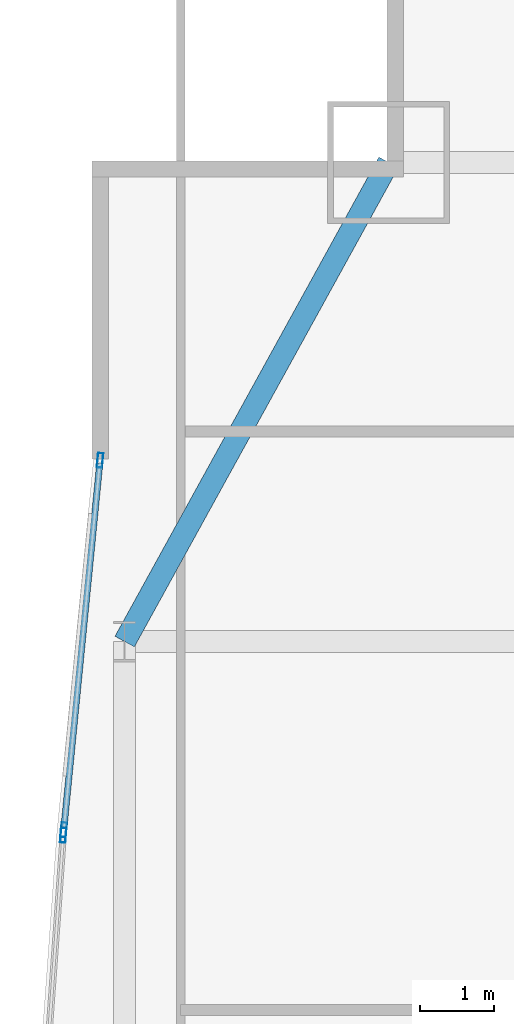
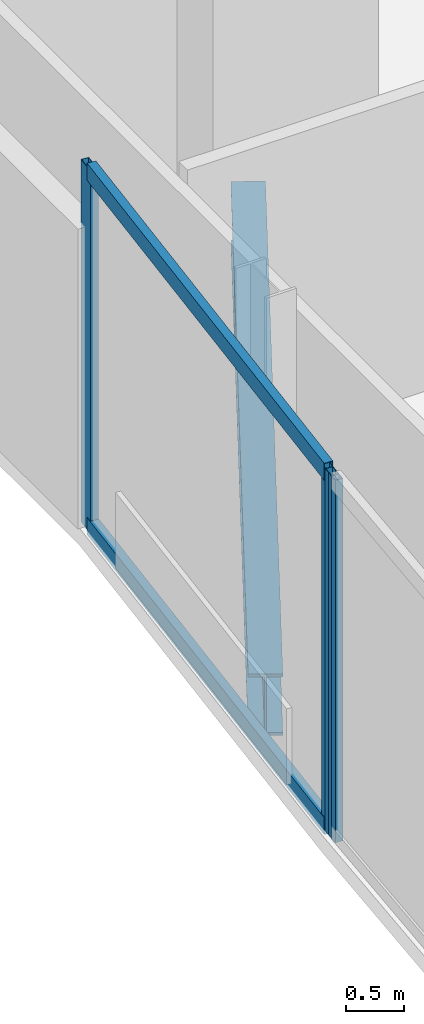
# One storey, part 16 of 33: 5 members, 1 beam, 2 elements without a shape of their own.
"""IFC4 building model written with IfcOpenShell, lengths in metres."""

from ifc_helpers import new_model, si_unit, direction, frame, origin, origin_2d, place, context, subcontext, project, spatial, hollow_rectangle, i_section, extrude, material, material_profile, profile_set, type_object, element, aggregate, save


model = new_model("IFC4")

# Units and contexts
model_context = context("Model", 3, precision=1e-05, world=origin(), true_north=direction((0.0, 1.0)))
body_context = subcontext(model_context, "Body", "Model", "MODEL_VIEW")
ifc_project = project(units=[si_unit("LENGTHUNIT", "METRE"), si_unit("AREAUNIT", "SQUARE_METRE"), si_unit("VOLUMEUNIT", "CUBIC_METRE"), si_unit("PLANEANGLEUNIT", "RADIAN"), si_unit("MASSUNIT", "GRAM", prefix="KILO")], contexts=[model_context])

# Site, building, storey
site_placement = place(None, origin())
site = spatial("IfcSite", under=ifc_project, at=site_placement, CompositionType="ELEMENT")
building_placement = place(site_placement, origin())
building = spatial("IfcBuilding", under=site, at=building_placement, Name="Khoronbel Lancet Exchange", CompositionType="ELEMENT")
storey_placement = place(building_placement, frame((0.0, 0.0, 73.800048828125)))
storey = spatial("IfcBuildingStorey", under=building, at=storey_placement, Name="L17", CompositionType="ELEMENT", Elevation=73.800048828125)

# Beam
ifc_material_1 = material(Name="Steel S355", Category="steel")
ifc_material_profile_1 = material_profile(ifc_material_1, i_section(OverallWidth=0.300048828125, OverallDepth=0.64990234375, WebThickness=0.01611328125, FlangeThickness=0.031005859375, at=origin_2d()), Name="HEB 650")
ifc_profile_set_1 = profile_set([ifc_material_profile_1], Name="Steel S355")
beam_type = type_object("IfcBeamType", Name="BM-BSP1", PredefinedType="SPANDREL", material=ifc_profile_set_1)
beam_placement = place(storey_placement, frame((4.85009765625, 49.699951171875, -0.505126953125), z_axis=(-0.482444051088, -0.875926787791, 0.0), x_axis=(0.875926787791, -0.482444051088, 0.0)))
element("IfcBeam", 1, at=beam_placement, inside=storey, type_object=beam_type, Name="Level L17 perimeter spandrel beam SP16", PredefinedType="SPANDREL", context=body_context, shape_type="SweptSolid", body=[
    extrude(i_section(OverallWidth=0.300048828125, OverallDepth=0.64990234375, WebThickness=0.01611328125, FlangeThickness=0.031005859375, at=origin_2d()), origin(), (0.0, 0.0, 1.0), 7.420654296875),
])

# Curtain wall, member
ifc_material_2 = material(Name="Low-E Solar Control Insulating Glass", Category="glass")
curtain_wall_type = type_object("IfcCurtainWallType", Name="CW-4", PredefinedType="NOTDEFINED", material=ifc_material_2)
curtain_wall_1_placement = place(storey_placement, origin())
curtain_wall_1 = element("IfcCurtainWall", 2, at=curtain_wall_1_placement, inside=storey, type_object=curtain_wall_type, Name="Unitised curtain wall CW-L17-E08", PredefinedType="NOTDEFINED")
ifc_material_3 = material(Name="Bronze-Anodised Aluminium 6063-T6", Category="aluminium")
ifc_material_profile_2 = material_profile(ifc_material_3, hollow_rectangle(XDim=0.074951171875, YDim=0.199951171875, WallThickness=0.0048828125, at=origin_2d()), Name="ALU MULLION 75x200")
ifc_profile_set_2 = profile_set([ifc_material_profile_2], Name="Bronze-Anodised Aluminium 6063-T6")
member_type_1 = type_object("IfcMemberType", Name="MEM-CWM2", PredefinedType="MULLION", material=ifc_profile_set_2)
member_1_placement = place(storey_placement, frame((0.43701171875, 40.57177734375, 0.0), z_axis=(0.0, 0.0, 1.0), x_axis=(-0.997417674327, 0.071819098708, 0.0)))
member_1 = element("IfcMember", 3, at=member_1_placement, type_object=member_type_1, Name="CW4 mullion 2", PredefinedType="MULLION", context=body_context, shape_type="SweptSolid", body=[
    extrude(hollow_rectangle(XDim=0.074951171875, YDim=0.199951171875, WallThickness=0.0048828125, at=origin_2d()), origin(), (0.0, 0.0, 1.0), 3.820068359375),
])
aggregate(curtain_wall_1, [member_1])

# Curtain wall, members
curtain_wall_2_placement = place(storey_placement, origin())
curtain_wall_2 = element("IfcCurtainWall", 4, at=curtain_wall_2_placement, inside=storey, type_object=curtain_wall_type, Name="Unitised curtain wall CW-L17-E09", PredefinedType="NOTDEFINED")
member_2_placement = place(storey_placement, frame((0.443359375, 40.646484375, 0.0), z_axis=(0.0, 0.0, 1.0), x_axis=(-0.995197629598, 0.09788604621, 0.0)))
member_2 = element("IfcMember", 5, at=member_2_placement, type_object=member_type_1, Name="CW4 mullion 1", PredefinedType="MULLION", context=body_context, shape_type="SweptSolid", body=[
    extrude(hollow_rectangle(XDim=0.074951171875, YDim=0.199951171875, WallThickness=0.0048828125, at=origin_2d()), origin(), (0.0, 0.0, 1.0), 3.820068359375),
])
member_3_placement = place(storey_placement, frame((0.936279296875, 45.658203125, 0.0), z_axis=(0.0, 0.0, 1.0), x_axis=(-0.995197629598, 0.09788604621, 0.0)))
member_3 = element("IfcMember", 6, at=member_3_placement, type_object=member_type_1, Name="CW4 mullion 2", PredefinedType="MULLION", context=body_context, shape_type="SweptSolid", body=[
    extrude(hollow_rectangle(XDim=0.074951171875, YDim=0.199951171875, WallThickness=0.0048828125, at=origin_2d()), origin(), (0.0, 0.0, 1.0), 3.820068359375),
])
ifc_material_profile_3 = material_profile(ifc_material_3, hollow_rectangle(XDim=0.0849609375, YDim=0.179931640625, WallThickness=0.0048828125, at=origin_2d()), Name="ALU TRANSOM 85x180")
ifc_profile_set_3 = profile_set([ifc_material_profile_3], Name="Bronze-Anodised Aluminium 6063-T6")
member_type_2 = type_object("IfcMemberType", Name="MEM-CWT1", PredefinedType="USERDEFINED", material=ifc_profile_set_3)
member_4_placement = place(storey_placement, frame((0.447021484375, 40.683837890625, 0.04248046875), z_axis=(0.097885872772, 0.995197646657, 0.0), x_axis=(-0.995197646657, 0.097885872772, 0.0)))
member_4 = element("IfcMember", 7, at=member_4_placement, type_object=member_type_2, Name="CW4 transom 1.1", ObjectType="TRANSOM", PredefinedType="USERDEFINED", context=body_context, shape_type="SweptSolid", body=[
    extrude(hollow_rectangle(XDim=0.0849609375, YDim=0.179931640625, WallThickness=0.0048828125, at=origin_2d()), origin(), (0.0, 0.0, 1.0), 4.9609375),
])
member_5_placement = place(storey_placement, frame((0.447021484375, 40.683837890625, 3.77734375), z_axis=(0.097885872772, 0.995197646657, 0.0), x_axis=(-0.995197646657, 0.097885872772, 0.0)))
member_5 = element("IfcMember", 8, at=member_5_placement, type_object=member_type_2, Name="CW4 transom 1.2", ObjectType="TRANSOM", PredefinedType="USERDEFINED", context=body_context, shape_type="SweptSolid", body=[
    extrude(hollow_rectangle(XDim=0.0849609375, YDim=0.179931640625, WallThickness=0.0048828125, at=origin_2d()), origin(), (0.0, 0.0, 1.0), 4.9609375),
])
aggregate(curtain_wall_2, [member_2, member_3, member_4, member_5])

save(model, "model.ifc")
